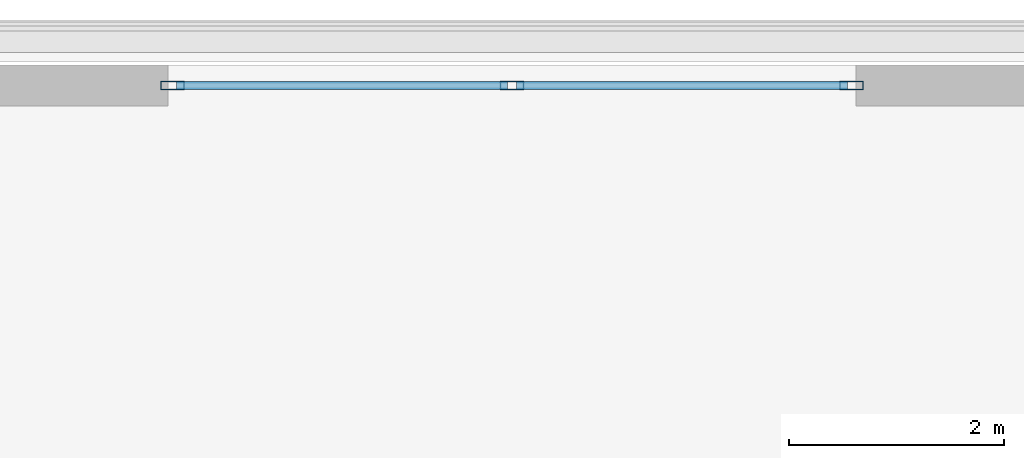
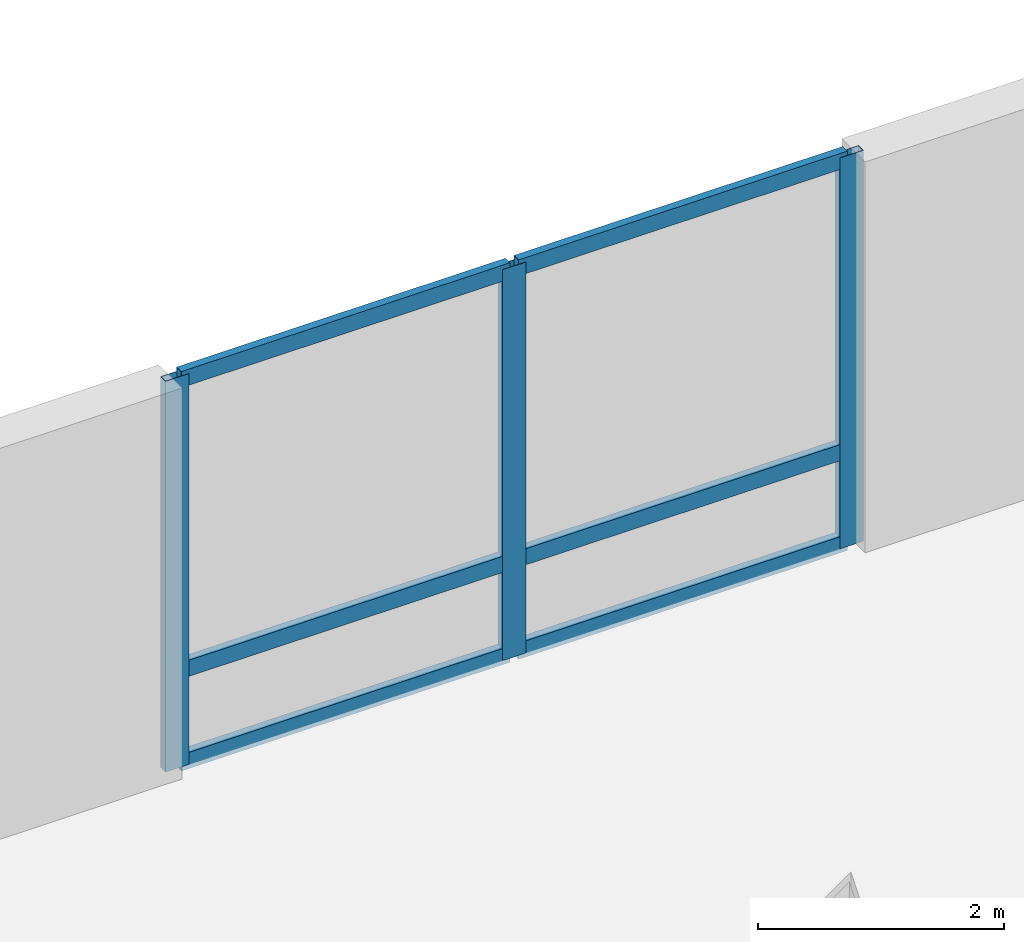
# One storey, part 4 of 14: 9 members, 1 element without a shape of its own.
"""IFC4 building model written with IfcOpenShell, lengths in metres."""

from ifc_helpers import new_model, si_unit, direction, frame, origin, origin_2d, place, context, subcontext, project, spatial, hollow_rectangle, extrude, source, transform, mapped, material, material_profile, profile_set, type_object, element, aggregate, save


model = new_model("IFC4")

# Units and contexts
model_context = context("Model", 3, precision=1e-05, world=origin(), true_north=direction((0.0, 1.0)))
body_context = subcontext(model_context, "Body", "Model", "MODEL_VIEW")
ifc_project = project(units=[si_unit("LENGTHUNIT", "METRE"), si_unit("AREAUNIT", "SQUARE_METRE"), si_unit("VOLUMEUNIT", "CUBIC_METRE"), si_unit("PLANEANGLEUNIT", "RADIAN"), si_unit("MASSUNIT", "GRAM", prefix="KILO")], contexts=[model_context])

# Site, building, storey
site_placement = place(None, origin())
site = spatial("IfcSite", under=ifc_project, at=site_placement, CompositionType="ELEMENT")
building_placement = place(site_placement, origin())
building = spatial("IfcBuilding", under=site, at=building_placement, Name="Olszyna Solenne Hotel", CompositionType="ELEMENT")
storey_placement = place(building_placement, frame((0.0, 0.0, 5.39990234375)))
storey = spatial("IfcBuildingStorey", under=building, at=storey_placement, Name="L01", CompositionType="ELEMENT", Elevation=5.39990234375)

# Curtain wall, members
ifc_material = material(Name="Anodised bronze aluminium", Category="aluminium")
curtain_wall_type = type_object("IfcCurtainWallType", Name="CW-SYS-1", PredefinedType="NOTDEFINED", material=ifc_material)
curtain_wall_placement = place(storey_placement, origin())
curtain_wall = element("IfcCurtainWall", 1, at=curtain_wall_placement, inside=storey, type_object=curtain_wall_type, Name="Unitised curtain wall CW-SYS-1 CW-L01-02", PredefinedType="NOTDEFINED")
ifc_material_profile_1 = material_profile(ifc_material, hollow_rectangle(XDim=0.074951171875, YDim=0.159912109375, WallThickness=0.00390625, at=origin_2d()), Name="TRAN 160x75x4", Category="load-bearing")
ifc_profile_set_1 = profile_set([ifc_material_profile_1], Name="Anodised bronze aluminium")
member_type_1 = type_object("IfcMemberType", Name="CW-T1", PredefinedType="USERDEFINED", material=ifc_profile_set_1)
shared_shape_1 = source(origin(), body_context, "Body", "SweptSolid", [
    extrude(hollow_rectangle(XDim=0.074951171875, YDim=0.159912109375, WallThickness=0.00390625, at=origin_2d()), origin(), (0.0, 0.0, 1.0), 3.080078125),
])
member_1_placement = place(storey_placement, frame((34.8798828125, 49.989990234375, 0.03759765625), z_axis=(1.0, 0.0, 0.0), x_axis=(0.0, 1.0, 0.0)))
member_1 = element("IfcMember", 2, at=member_1_placement, type_object=member_type_1, Name="Curtain-wall transom CW-T1 CT-L01-02-01", ObjectType="TRANSOM", PredefinedType="USERDEFINED", context=body_context, shape_type="MappedRepresentation", body=[
    mapped(shared_shape_1, transform((0.0, 0.0, 0.0), x_axis=(1.0, 0.0, 0.0), y_axis=(0.0, 1.0, 0.0), z_axis=(0.0, 0.0, 1.0), scale=1.0)),
])
member_2_placement = place(storey_placement, frame((34.8798828125, 49.989990234375, 0.9501953125), z_axis=(1.0, 0.0, 0.0), x_axis=(0.0, 1.0, 0.0)))
member_2 = element("IfcMember", 3, at=member_2_placement, type_object=member_type_1, Name="Curtain-wall transom CW-T1 CT-L01-02-02", ObjectType="TRANSOM", PredefinedType="USERDEFINED", context=body_context, shape_type="MappedRepresentation", body=[
    mapped(shared_shape_1, transform((0.0, 0.0, 0.0), x_axis=(1.0, 0.0, 0.0), y_axis=(0.0, 1.0, 0.0), z_axis=(0.0, 0.0, 1.0), scale=1.0)),
])
member_3_placement = place(storey_placement, frame((34.8798828125, 49.989990234375, 3.834716796875), z_axis=(1.0, 0.0, 0.0), x_axis=(0.0, 1.0, 0.0)))
member_3 = element("IfcMember", 4, at=member_3_placement, type_object=member_type_1, Name="Curtain-wall transom CW-T1 CT-L01-02-03", ObjectType="TRANSOM", PredefinedType="USERDEFINED", context=body_context, shape_type="MappedRepresentation", body=[
    mapped(shared_shape_1, transform((0.0, 0.0, 0.0), x_axis=(1.0, 0.0, 0.0), y_axis=(0.0, 1.0, 0.0), z_axis=(0.0, 0.0, 1.0), scale=1.0)),
])
member_4_placement = place(storey_placement, frame((38.0400390625, 49.989990234375, 0.03759765625), z_axis=(1.0, 0.0, 0.0), x_axis=(0.0, 1.0, 0.0)))
member_4 = element("IfcMember", 5, at=member_4_placement, type_object=member_type_1, Name="Curtain-wall transom CW-T1 CT-L01-02-04", ObjectType="TRANSOM", PredefinedType="USERDEFINED", context=body_context, shape_type="MappedRepresentation", body=[
    mapped(shared_shape_1, transform((0.0, 0.0, 0.0), x_axis=(1.0, 0.0, 0.0), y_axis=(0.0, 1.0, 0.0), z_axis=(0.0, 0.0, 1.0), scale=1.0)),
])
member_5_placement = place(storey_placement, frame((38.0400390625, 49.989990234375, 0.9501953125), z_axis=(1.0, 0.0, 0.0), x_axis=(0.0, 1.0, 0.0)))
member_5 = element("IfcMember", 6, at=member_5_placement, type_object=member_type_1, Name="Curtain-wall transom CW-T1 CT-L01-02-05", ObjectType="TRANSOM", PredefinedType="USERDEFINED", context=body_context, shape_type="MappedRepresentation", body=[
    mapped(shared_shape_1, transform((0.0, 0.0, 0.0), x_axis=(1.0, 0.0, 0.0), y_axis=(0.0, 1.0, 0.0), z_axis=(0.0, 0.0, 1.0), scale=1.0)),
])
member_6_placement = place(storey_placement, frame((38.0400390625, 49.989990234375, 3.834716796875), z_axis=(1.0, 0.0, 0.0), x_axis=(0.0, 1.0, 0.0)))
member_6 = element("IfcMember", 7, at=member_6_placement, type_object=member_type_1, Name="Curtain-wall transom CW-T1 CT-L01-02-06", ObjectType="TRANSOM", PredefinedType="USERDEFINED", context=body_context, shape_type="MappedRepresentation", body=[
    mapped(shared_shape_1, transform((0.0, 0.0, 0.0), x_axis=(1.0, 0.0, 0.0), y_axis=(0.0, 1.0, 0.0), z_axis=(0.0, 0.0, 1.0), scale=1.0)),
])
ifc_material_profile_2 = material_profile(ifc_material, hollow_rectangle(XDim=0.080078125, YDim=0.219970703125, WallThickness=0.0048828125, at=origin_2d()), Name="MULL 220x80x5", Category="load-bearing")
ifc_profile_set_2 = profile_set([ifc_material_profile_2], Name="Anodised bronze aluminium")
member_type_2 = type_object("IfcMemberType", Name="CW-M1", PredefinedType="MULLION", material=ifc_profile_set_2)
shared_shape_2 = source(origin(), body_context, "Body", "SweptSolid", [
    extrude(hollow_rectangle(XDim=0.080078125, YDim=0.219970703125, WallThickness=0.0048828125, at=origin_2d()), origin(), (0.0, 0.0, 1.0), 3.8720703125),
])
member_7_placement = place(storey_placement, frame((34.840087890625, 49.989990234375, 0.0), z_axis=(0.0, 0.0, 1.0), x_axis=(0.0, 1.0, 0.0)))
member_7 = element("IfcMember", 8, at=member_7_placement, type_object=member_type_2, Name="Curtain-wall mullion CW-M1 CM-L01-02-01", PredefinedType="MULLION", context=body_context, shape_type="MappedRepresentation", body=[
    mapped(shared_shape_2, transform((0.0, 0.0, 0.0), x_axis=(1.0, 0.0, 0.0), y_axis=(0.0, 1.0, 0.0), z_axis=(0.0, 0.0, 1.0), scale=1.0)),
])
member_8_placement = place(storey_placement, frame((38.0, 49.989990234375, 0.0), z_axis=(0.0, 0.0, 1.0), x_axis=(0.0, 1.0, 0.0)))
member_8 = element("IfcMember", 9, at=member_8_placement, type_object=member_type_2, Name="Curtain-wall mullion CW-M1 CM-L01-02-02", PredefinedType="MULLION", context=body_context, shape_type="MappedRepresentation", body=[
    mapped(shared_shape_2, transform((0.0, 0.0, 0.0), x_axis=(1.0, 0.0, 0.0), y_axis=(0.0, 1.0, 0.0), z_axis=(0.0, 0.0, 1.0), scale=1.0)),
])
member_9_placement = place(storey_placement, frame((41.159912109375, 49.989990234375, 0.0), z_axis=(0.0, 0.0, 1.0), x_axis=(0.0, 1.0, 0.0)))
member_9 = element("IfcMember", 10, at=member_9_placement, type_object=member_type_2, Name="Curtain-wall mullion CW-M1 CM-L01-02-03", PredefinedType="MULLION", context=body_context, shape_type="MappedRepresentation", body=[
    mapped(shared_shape_2, transform((0.0, 0.0, 0.0), x_axis=(1.0, 0.0, 0.0), y_axis=(0.0, 1.0, 0.0), z_axis=(0.0, 0.0, 1.0), scale=1.0)),
])
aggregate(curtain_wall, [member_7, member_8, member_9, member_1, member_2, member_3, member_4, member_5, member_6])

save(model, "model.ifc")
